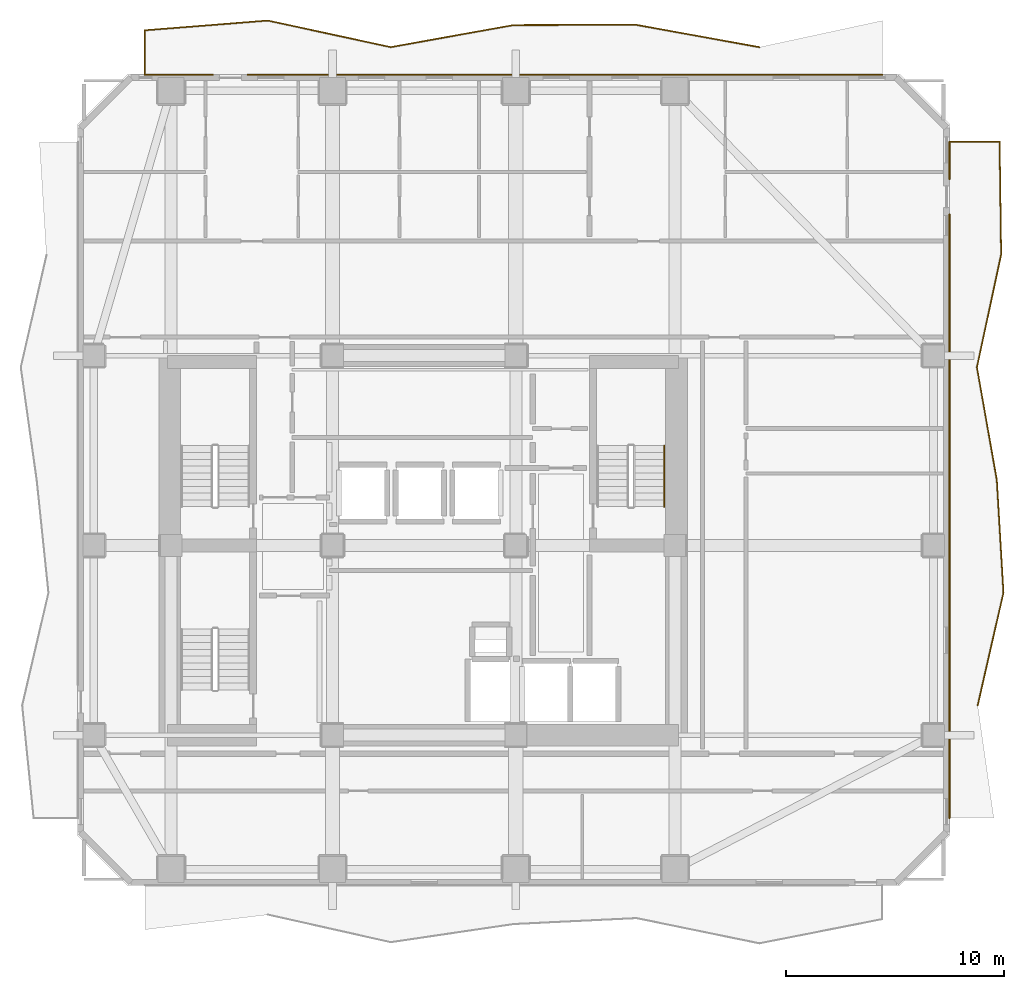
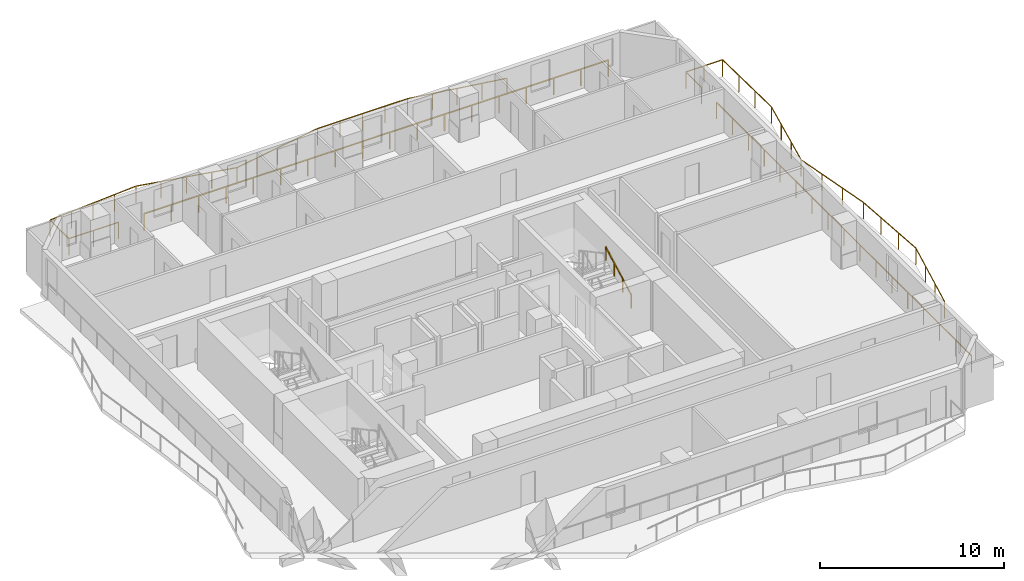
# One storey, part 9 of 9: 5 railings.
"""IFC4 building model written with IfcOpenShell, lengths in metres."""

from ifc_helpers import new_model, si_unit, direction, frame, origin, origin_2d, place, context, subcontext, project, spatial, rectangle, extrude, material, type_object, element, save


model = new_model("IFC4")

# Units and contexts
model_context = context("Model", 3, precision=1e-05, world=origin(), true_north=direction((0.0, 1.0)))
body_context = subcontext(model_context, "Body", "Model", "MODEL_VIEW")
ifc_project = project(units=[si_unit("LENGTHUNIT", "METRE"), si_unit("AREAUNIT", "SQUARE_METRE"), si_unit("VOLUMEUNIT", "CUBIC_METRE"), si_unit("PLANEANGLEUNIT", "RADIAN"), si_unit("MASSUNIT", "GRAM", prefix="KILO")], contexts=[model_context])

# Site, building, storey
site_placement = place(None, origin())
site = spatial("IfcSite", under=ifc_project, at=site_placement, CompositionType="ELEMENT")
building_placement = place(site_placement, origin())
building = spatial("IfcBuilding", under=site, at=building_placement, Name="Solanera Arch Residences", CompositionType="ELEMENT")
storey_placement = place(building_placement, frame((0.0, 0.0, 162.52001953125)))
storey = spatial("IfcBuildingStorey", under=building, at=storey_placement, Name="L47", CompositionType="ELEMENT", Elevation=162.52001953125)

# Railings
ifc_material_1 = material(Name="Steel S355 (ASTM A992 / A572 Grade 50)", Category="steel")
railing_type_1 = type_object("IfcRailingType", Name="Balustrade Railing BL-1100", PredefinedType="BALUSTRADE", material=ifc_material_1)
railing_1_placement = place(storey_placement, frame((40.366943359375, 53.5400390625, 0.0)))
element("IfcRailing", 1, at=railing_1_placement, inside=storey, type_object=railing_type_1, Name="L47 N Balcony Balustrade 1", PredefinedType="BALUSTRADE", context=body_context, shape_type="SweptSolid", body=[
    extrude(rectangle(XDim=0.048095703125, YDim=0.048095703125, at=origin_2d()), frame((0.0, 0.0, 1.09619140625), z_axis=(-0.983943504094, 0.178480197085, 0.0), x_axis=(-0.178480197085, -0.983943504094, 0.0)), (0.0, 0.0, 1.0), 5.72607421875),
    extrude(rectangle(XDim=0.048095703125, YDim=0.048095703125, at=origin_2d()), frame((-5.634033203125, 1.02197265625, 1.09619140625), z_axis=(-0.999998977115, -0.001430303669, 0.0), x_axis=(0.001430303669, -0.999998977115, 0.0)), (0.0, 0.0, 1.0), 5.6328125),
    extrude(rectangle(XDim=0.048095703125, YDim=0.048095703125, at=origin_2d()), frame((-11.266845703125, 1.013916015625, 1.09619140625), z_axis=(-0.984243807217, -0.17681665067, 0.0), x_axis=(0.17681665067, -0.984243807217, 0.0)), (0.0, 0.0, 1.0), 5.72314453125),
    extrude(rectangle(XDim=0.048095703125, YDim=0.048095703125, at=origin_2d()), frame((-16.89990234375, 0.001953125, 1.09619140625), z_axis=(-0.97738460027, 0.211469485165, 0.0), x_axis=(-0.211469485165, -0.97738460027, 0.0)), (0.0, 0.0, 1.0), 5.764404296875),
    extrude(rectangle(XDim=0.048095703125, YDim=0.048095703125, at=origin_2d()), frame((-22.533935546875, 1.220947265625, 1.09619140625), z_axis=(-0.996866041589, -0.079108123007, 0.0), x_axis=(0.079108123007, -0.996866041589, 0.0)), (0.0, 0.0, 1.0), 5.65087890625),
    extrude(rectangle(XDim=0.048095703125, YDim=0.048095703125, at=origin_2d()), frame((-28.1669921875, 0.77392578125, 1.09619140625), z_axis=(0.0, -1.0, 0.0), x_axis=(1.0, 0.0, 0.0)), (0.0, 0.0, 1.0), 2.033935546875),
    extrude(rectangle(XDim=0.048095703125, YDim=0.048095703125, at=origin_2d()), frame((-28.1669921875, -1.260009765625, 1.09619140625), z_axis=(1.0, 0.0, 0.0), x_axis=(0.0, 1.0, 0.0)), (0.0, 0.0, 1.0), 3.116943359375),
    extrude(rectangle(XDim=0.0419921875, YDim=0.0419921875, at=origin_2d()), origin(), (0.0, 0.0, 1.0), 1.072021484375),
    extrude(rectangle(XDim=0.0419921875, YDim=0.0419921875, at=origin_2d()), frame((-1.408447265625, 0.25537109375, 0.0)), (0.0, 0.0, 1.0), 1.072021484375),
    extrude(rectangle(XDim=0.0419921875, YDim=0.0419921875, at=origin_2d()), frame((-2.81689453125, 0.510986328125, 0.0)), (0.0, 0.0, 1.0), 1.072021484375),
    extrude(rectangle(XDim=0.0419921875, YDim=0.0419921875, at=origin_2d()), frame((-4.2255859375, 0.7666015625, 0.0)), (0.0, 0.0, 1.0), 1.072021484375),
    extrude(rectangle(XDim=0.0419921875, YDim=0.0419921875, at=origin_2d()), frame((-5.634033203125, 1.02197265625, 0.0)), (0.0, 0.0, 1.0), 1.072021484375),
    extrude(rectangle(XDim=0.0419921875, YDim=0.0419921875, at=origin_2d()), frame((-7.042236328125, 1.02001953125, 0.0)), (0.0, 0.0, 1.0), 1.072021484375),
    extrude(rectangle(XDim=0.0419921875, YDim=0.0419921875, at=origin_2d()), frame((-8.450439453125, 1.01806640625, 0.0)), (0.0, 0.0, 1.0), 1.072021484375),
    extrude(rectangle(XDim=0.0419921875, YDim=0.0419921875, at=origin_2d()), frame((-9.858642578125, 1.015869140625, 0.0)), (0.0, 0.0, 1.0), 1.072021484375),
    extrude(rectangle(XDim=0.0419921875, YDim=0.0419921875, at=origin_2d()), frame((-11.266845703125, 1.013916015625, 0.0)), (0.0, 0.0, 1.0), 1.072021484375),
    extrude(rectangle(XDim=0.0419921875, YDim=0.0419921875, at=origin_2d()), frame((-12.675048828125, 0.760986328125, 0.0)), (0.0, 0.0, 1.0), 1.072021484375),
    extrude(rectangle(XDim=0.0419921875, YDim=0.0419921875, at=origin_2d()), frame((-14.08349609375, 0.5078125, 0.0)), (0.0, 0.0, 1.0), 1.072021484375),
    extrude(rectangle(XDim=0.0419921875, YDim=0.0419921875, at=origin_2d()), frame((-15.49169921875, 0.2548828125, 0.0)), (0.0, 0.0, 1.0), 1.072021484375),
    extrude(rectangle(XDim=0.0419921875, YDim=0.0419921875, at=origin_2d()), frame((-16.89990234375, 0.001953125, 0.0)), (0.0, 0.0, 1.0), 1.072021484375),
    extrude(rectangle(XDim=0.0419921875, YDim=0.0419921875, at=origin_2d()), frame((-18.308349609375, 0.306640625, 0.0)), (0.0, 0.0, 1.0), 1.072021484375),
    extrude(rectangle(XDim=0.0419921875, YDim=0.0419921875, at=origin_2d()), frame((-19.716796875, 0.611328125, 0.0)), (0.0, 0.0, 1.0), 1.072021484375),
    extrude(rectangle(XDim=0.0419921875, YDim=0.0419921875, at=origin_2d()), frame((-21.12548828125, 0.916259765625, 0.0)), (0.0, 0.0, 1.0), 1.072021484375),
    extrude(rectangle(XDim=0.0419921875, YDim=0.0419921875, at=origin_2d()), frame((-22.533935546875, 1.220947265625, 0.0)), (0.0, 0.0, 1.0), 1.072021484375),
    extrude(rectangle(XDim=0.0419921875, YDim=0.0419921875, at=origin_2d()), frame((-23.942138671875, 1.109130859375, 0.0)), (0.0, 0.0, 1.0), 1.072021484375),
    extrude(rectangle(XDim=0.0419921875, YDim=0.0419921875, at=origin_2d()), frame((-25.3505859375, 0.99755859375, 0.0)), (0.0, 0.0, 1.0), 1.072021484375),
    extrude(rectangle(XDim=0.0419921875, YDim=0.0419921875, at=origin_2d()), frame((-26.7587890625, 0.8857421875, 0.0)), (0.0, 0.0, 1.0), 1.072021484375),
    extrude(rectangle(XDim=0.0419921875, YDim=0.0419921875, at=origin_2d()), frame((-28.1669921875, 0.77392578125, 0.0)), (0.0, 0.0, 1.0), 1.072021484375),
    extrude(rectangle(XDim=0.0419921875, YDim=0.0419921875, at=origin_2d()), frame((-28.1669921875, -0.2431640625, 0.0)), (0.0, 0.0, 1.0), 1.072021484375),
    extrude(rectangle(XDim=0.0419921875, YDim=0.0419921875, at=origin_2d()), frame((-28.1669921875, -1.260009765625, 0.0)), (0.0, 0.0, 1.0), 1.072021484375),
    extrude(rectangle(XDim=0.0419921875, YDim=0.0419921875, at=origin_2d()), frame((-26.6083984375, -1.260009765625, 0.0)), (0.0, 0.0, 1.0), 1.072021484375),
    extrude(rectangle(XDim=0.0419921875, YDim=0.0419921875, at=origin_2d()), frame((-25.050048828125, -1.260009765625, 0.0)), (0.0, 0.0, 1.0), 1.072021484375),
])
railing_2_placement = place(storey_placement, frame((16.9169921875, 52.280029296875, 0.0)))
element("IfcRailing", 2, at=railing_2_placement, inside=storey, type_object=railing_type_1, Name="L47 N Balcony Balustrade 2", PredefinedType="BALUSTRADE", context=body_context, shape_type="SweptSolid", body=[
    extrude(rectangle(XDim=0.048095703125, YDim=0.048095703125, at=origin_2d()), frame((0.0, 0.0, 1.09619140625), z_axis=(1.0, 0.0, 0.0), x_axis=(0.0, 1.0, 0.0)), (0.0, 0.0, 1.0), 29.0830078125),
    extrude(rectangle(XDim=0.0419921875, YDim=0.0419921875, at=origin_2d()), origin(), (0.0, 0.0, 1.0), 1.072021484375),
    extrude(rectangle(XDim=0.0419921875, YDim=0.0419921875, at=origin_2d()), frame((1.710693359375, 0.0, 0.0)), (0.0, 0.0, 1.0), 1.072021484375),
    extrude(rectangle(XDim=0.0419921875, YDim=0.0419921875, at=origin_2d()), frame((3.421630859375, 0.0, 0.0)), (0.0, 0.0, 1.0), 1.072021484375),
    extrude(rectangle(XDim=0.0419921875, YDim=0.0419921875, at=origin_2d()), frame((5.13232421875, 0.0, 0.0)), (0.0, 0.0, 1.0), 1.072021484375),
    extrude(rectangle(XDim=0.0419921875, YDim=0.0419921875, at=origin_2d()), frame((6.843017578125, 0.0, 0.0)), (0.0, 0.0, 1.0), 1.072021484375),
    extrude(rectangle(XDim=0.0419921875, YDim=0.0419921875, at=origin_2d()), frame((8.5537109375, 0.0, 0.0)), (0.0, 0.0, 1.0), 1.072021484375),
    extrude(rectangle(XDim=0.0419921875, YDim=0.0419921875, at=origin_2d()), frame((10.2646484375, 0.0, 0.0)), (0.0, 0.0, 1.0), 1.072021484375),
    extrude(rectangle(XDim=0.0419921875, YDim=0.0419921875, at=origin_2d()), frame((11.975341796875, 0.0, 0.0)), (0.0, 0.0, 1.0), 1.072021484375),
    extrude(rectangle(XDim=0.0419921875, YDim=0.0419921875, at=origin_2d()), frame((13.68603515625, 0.0, 0.0)), (0.0, 0.0, 1.0), 1.072021484375),
    extrude(rectangle(XDim=0.0419921875, YDim=0.0419921875, at=origin_2d()), frame((15.39697265625, 0.0, 0.0)), (0.0, 0.0, 1.0), 1.072021484375),
    extrude(rectangle(XDim=0.0419921875, YDim=0.0419921875, at=origin_2d()), frame((17.107666015625, 0.0, 0.0)), (0.0, 0.0, 1.0), 1.072021484375),
    extrude(rectangle(XDim=0.0419921875, YDim=0.0419921875, at=origin_2d()), frame((18.818359375, 0.0, 0.0)), (0.0, 0.0, 1.0), 1.072021484375),
    extrude(rectangle(XDim=0.0419921875, YDim=0.0419921875, at=origin_2d()), frame((20.529296875, 0.0, 0.0)), (0.0, 0.0, 1.0), 1.072021484375),
    extrude(rectangle(XDim=0.0419921875, YDim=0.0419921875, at=origin_2d()), frame((22.239990234375, 0.0, 0.0)), (0.0, 0.0, 1.0), 1.072021484375),
    extrude(rectangle(XDim=0.0419921875, YDim=0.0419921875, at=origin_2d()), frame((23.95068359375, 0.0, 0.0)), (0.0, 0.0, 1.0), 1.072021484375),
    extrude(rectangle(XDim=0.0419921875, YDim=0.0419921875, at=origin_2d()), frame((25.661376953125, 0.0, 0.0)), (0.0, 0.0, 1.0), 1.072021484375),
    extrude(rectangle(XDim=0.0419921875, YDim=0.0419921875, at=origin_2d()), frame((27.372314453125, 0.0, 0.0)), (0.0, 0.0, 1.0), 1.072021484375),
    extrude(rectangle(XDim=0.0419921875, YDim=0.0419921875, at=origin_2d()), frame((29.0830078125, 0.0, 0.0)), (0.0, 0.0, 1.0), 1.072021484375),
])
railing_3_placement = place(storey_placement, frame((50.3740234375, 23.366943359375, 0.0)))
element("IfcRailing", 3, at=railing_3_placement, inside=storey, type_object=railing_type_1, Name="L47 E Balcony Balustrade 1", PredefinedType="BALUSTRADE", context=body_context, shape_type="SweptSolid", body=[
    extrude(rectangle(XDim=0.048095703125, YDim=0.048095703125, at=origin_2d()), frame((0.0, 0.0, 1.09619140625), z_axis=(0.222843565676, 0.974854217428, 0.0), x_axis=(-0.974854217428, 0.222843565676, 0.0)), (0.0, 0.0, 1.0), 5.29931640625),
    extrude(rectangle(XDim=0.048095703125, YDim=0.048095703125, at=origin_2d()), frame((1.180908203125, 5.166015625, 1.09619140625), z_axis=(-0.058724787001, 0.998274210521, 0.0), x_axis=(-0.998274210521, -0.058724787001, 0.0)), (0.0, 0.0, 1.0), 5.176025390625),
    extrude(rectangle(XDim=0.048095703125, YDim=0.048095703125, at=origin_2d()), frame((0.876953125, 10.3330078125, 1.09619140625), z_axis=(-0.173793297263, 0.984782153487, 0.0), x_axis=(-0.984782153487, -0.173793297263, 0.0)), (0.0, 0.0, 1.0), 5.246826171875),
    extrude(rectangle(XDim=0.048095703125, YDim=0.048095703125, at=origin_2d()), frame((-0.034912109375, 15.5, 1.09619140625), z_axis=(0.210223206367, 0.977653416863, 0.0), x_axis=(-0.977653416863, 0.210223206367, 0.0)), (0.0, 0.0, 1.0), 5.2841796875),
    extrude(rectangle(XDim=0.048095703125, YDim=0.048095703125, at=origin_2d()), frame((1.075927734375, 20.666015625, 1.09619140625), z_axis=(-0.013748464196, 0.9999054854, 0.0), x_axis=(-0.9999054854, -0.013748464196, 0.0)), (0.0, 0.0, 1.0), 5.16748046875),
    extrude(rectangle(XDim=0.048095703125, YDim=0.048095703125, at=origin_2d()), frame((1.0048828125, 25.8330078125, 1.09619140625), z_axis=(-1.0, 0.0, 0.0), x_axis=(0.0, -1.0, 0.0)), (0.0, 0.0, 1.0), 2.298828125),
    extrude(rectangle(XDim=0.048095703125, YDim=0.048095703125, at=origin_2d()), frame((-1.2939453125, 25.8330078125, 1.09619140625), z_axis=(0.0, -1.0, 0.0), x_axis=(1.0, 0.0, 0.0)), (0.0, 0.0, 1.0), 1.7138671875),
    extrude(rectangle(XDim=0.0419921875, YDim=0.0419921875, at=origin_2d()), origin(), (0.0, 0.0, 1.0), 1.072021484375),
    extrude(rectangle(XDim=0.0419921875, YDim=0.0419921875, at=origin_2d()), frame((0.3935546875, 1.721923828125, 0.0)), (0.0, 0.0, 1.0), 1.072021484375),
    extrude(rectangle(XDim=0.0419921875, YDim=0.0419921875, at=origin_2d()), frame((0.787353515625, 3.444091796875, 0.0)), (0.0, 0.0, 1.0), 1.072021484375),
    extrude(rectangle(XDim=0.0419921875, YDim=0.0419921875, at=origin_2d()), frame((1.180908203125, 5.166015625, 0.0)), (0.0, 0.0, 1.0), 1.072021484375),
    extrude(rectangle(XDim=0.0419921875, YDim=0.0419921875, at=origin_2d()), frame((1.07958984375, 6.888427734375, 0.0)), (0.0, 0.0, 1.0), 1.072021484375),
    extrude(rectangle(XDim=0.0419921875, YDim=0.0419921875, at=origin_2d()), frame((0.978271484375, 8.610595703125, 0.0)), (0.0, 0.0, 1.0), 1.072021484375),
    extrude(rectangle(XDim=0.0419921875, YDim=0.0419921875, at=origin_2d()), frame((0.876953125, 10.3330078125, 0.0)), (0.0, 0.0, 1.0), 1.072021484375),
    extrude(rectangle(XDim=0.0419921875, YDim=0.0419921875, at=origin_2d()), frame((0.572998046875, 12.055419921875, 0.0)), (0.0, 0.0, 1.0), 1.072021484375),
    extrude(rectangle(XDim=0.0419921875, YDim=0.0419921875, at=origin_2d()), frame((0.26904296875, 13.777587890625, 0.0)), (0.0, 0.0, 1.0), 1.072021484375),
    extrude(rectangle(XDim=0.0419921875, YDim=0.0419921875, at=origin_2d()), frame((-0.034912109375, 15.5, 0.0)), (0.0, 0.0, 1.0), 1.072021484375),
    extrude(rectangle(XDim=0.0419921875, YDim=0.0419921875, at=origin_2d()), frame((0.33544921875, 17.221923828125, 0.0)), (0.0, 0.0, 1.0), 1.072021484375),
    extrude(rectangle(XDim=0.0419921875, YDim=0.0419921875, at=origin_2d()), frame((0.70556640625, 18.944091796875, 0.0)), (0.0, 0.0, 1.0), 1.072021484375),
    extrude(rectangle(XDim=0.0419921875, YDim=0.0419921875, at=origin_2d()), frame((1.075927734375, 20.666015625, 0.0)), (0.0, 0.0, 1.0), 1.072021484375),
    extrude(rectangle(XDim=0.0419921875, YDim=0.0419921875, at=origin_2d()), frame((1.05224609375, 22.388427734375, 0.0)), (0.0, 0.0, 1.0), 1.072021484375),
    extrude(rectangle(XDim=0.0419921875, YDim=0.0419921875, at=origin_2d()), frame((1.028564453125, 24.110595703125, 0.0)), (0.0, 0.0, 1.0), 1.072021484375),
    extrude(rectangle(XDim=0.0419921875, YDim=0.0419921875, at=origin_2d()), frame((1.0048828125, 25.8330078125, 0.0)), (0.0, 0.0, 1.0), 1.072021484375),
    extrude(rectangle(XDim=0.0419921875, YDim=0.0419921875, at=origin_2d()), frame((-0.14453125, 25.8330078125, 0.0)), (0.0, 0.0, 1.0), 1.072021484375),
    extrude(rectangle(XDim=0.0419921875, YDim=0.0419921875, at=origin_2d()), frame((-1.2939453125, 25.8330078125, 0.0)), (0.0, 0.0, 1.0), 1.072021484375),
    extrude(rectangle(XDim=0.0419921875, YDim=0.0419921875, at=origin_2d()), frame((-1.2939453125, 24.119140625, 0.0)), (0.0, 0.0, 1.0), 1.072021484375),
])
railing_4_placement = place(storey_placement, frame((49.080078125, 45.885986328125, 0.0)))
element("IfcRailing", 4, at=railing_4_placement, inside=storey, type_object=railing_type_1, Name="L47 E Balcony Balustrade 2", PredefinedType="BALUSTRADE", context=body_context, shape_type="SweptSolid", body=[
    extrude(rectangle(XDim=0.048095703125, YDim=0.048095703125, at=origin_2d()), frame((0.0, 0.0, 1.09619140625), z_axis=(0.0, -1.0, 0.0), x_axis=(1.0, 0.0, 0.0)), (0.0, 0.0, 1.0), 27.68603515625),
    extrude(rectangle(XDim=0.0419921875, YDim=0.0419921875, at=origin_2d()), origin(), (0.0, 0.0, 1.0), 1.072021484375),
    extrude(rectangle(XDim=0.0419921875, YDim=0.0419921875, at=origin_2d()), frame((0.0, -1.73046875, 0.0)), (0.0, 0.0, 1.0), 1.072021484375),
    extrude(rectangle(XDim=0.0419921875, YDim=0.0419921875, at=origin_2d()), frame((0.0, -3.460693359375, 0.0)), (0.0, 0.0, 1.0), 1.072021484375),
    extrude(rectangle(XDim=0.0419921875, YDim=0.0419921875, at=origin_2d()), frame((0.0, -5.191162109375, 0.0)), (0.0, 0.0, 1.0), 1.072021484375),
    extrude(rectangle(XDim=0.0419921875, YDim=0.0419921875, at=origin_2d()), frame((0.0, -6.92138671875, 0.0)), (0.0, 0.0, 1.0), 1.072021484375),
    extrude(rectangle(XDim=0.0419921875, YDim=0.0419921875, at=origin_2d()), frame((0.0, -8.65185546875, 0.0)), (0.0, 0.0, 1.0), 1.072021484375),
    extrude(rectangle(XDim=0.0419921875, YDim=0.0419921875, at=origin_2d()), frame((0.0, -10.38232421875, 0.0)), (0.0, 0.0, 1.0), 1.072021484375),
    extrude(rectangle(XDim=0.0419921875, YDim=0.0419921875, at=origin_2d()), frame((0.0, -12.112548828125, 0.0)), (0.0, 0.0, 1.0), 1.072021484375),
    extrude(rectangle(XDim=0.0419921875, YDim=0.0419921875, at=origin_2d()), frame((0.0, -13.843017578125, 0.0)), (0.0, 0.0, 1.0), 1.072021484375),
    extrude(rectangle(XDim=0.0419921875, YDim=0.0419921875, at=origin_2d()), frame((0.0, -15.573486328125, 0.0)), (0.0, 0.0, 1.0), 1.072021484375),
    extrude(rectangle(XDim=0.0419921875, YDim=0.0419921875, at=origin_2d()), frame((0.0, -17.3037109375, 0.0)), (0.0, 0.0, 1.0), 1.072021484375),
    extrude(rectangle(XDim=0.0419921875, YDim=0.0419921875, at=origin_2d()), frame((0.0, -19.0341796875, 0.0)), (0.0, 0.0, 1.0), 1.072021484375),
    extrude(rectangle(XDim=0.0419921875, YDim=0.0419921875, at=origin_2d()), frame((0.0, -20.7646484375, 0.0)), (0.0, 0.0, 1.0), 1.072021484375),
    extrude(rectangle(XDim=0.0419921875, YDim=0.0419921875, at=origin_2d()), frame((0.0, -22.494873046875, 0.0)), (0.0, 0.0, 1.0), 1.072021484375),
    extrude(rectangle(XDim=0.0419921875, YDim=0.0419921875, at=origin_2d()), frame((0.0, -24.225341796875, 0.0)), (0.0, 0.0, 1.0), 1.072021484375),
    extrude(rectangle(XDim=0.0419921875, YDim=0.0419921875, at=origin_2d()), frame((0.0, -25.95556640625, 0.0)), (0.0, 0.0, 1.0), 1.072021484375),
    extrude(rectangle(XDim=0.0419921875, YDim=0.0419921875, at=origin_2d()), frame((0.0, -27.68603515625, 0.0)), (0.0, 0.0, 1.0), 1.072021484375),
])
ifc_material_2 = material(Name="Steel S355 (ASTM A992 / A572 Grade 50)", Category="steel")
railing_type_2 = type_object("IfcRailingType", Name="Stair Wall Handrail HR-920", PredefinedType="HANDRAIL", material=ifc_material_2)
railing_5_placement = place(storey_placement, frame((36.010009765625, 32.47998046875, 0.166015625)))
element("IfcRailing", 5, at=railing_5_placement, inside=storey, type_object=railing_type_2, Name="L47 ST-T2 stair handrail 1", PredefinedType="HANDRAIL", context=body_context, shape_type="SweptSolid", body=[
    extrude(rectangle(XDim=0.048095703125, YDim=0.048095703125, at=origin_2d()), frame((0.0, 0.0, 0.8759765625), z_axis=(0.0, 0.881580869306, 0.472033018838), x_axis=(-1.0, 0.0, 0.0)), (0.0, 0.0, 1.0), 3.164794921875),
    extrude(rectangle(XDim=0.0419921875, YDim=0.0419921875, at=origin_2d()), origin(), (0.0, 0.0, 1.0), 0.851806640625),
    extrude(rectangle(XDim=0.0419921875, YDim=0.0419921875, at=origin_2d()), frame((0.0, 0.929931640625, 0.498046875)), (0.0, 0.0, 1.0), 0.851806640625),
    extrude(rectangle(XDim=0.0419921875, YDim=0.0419921875, at=origin_2d()), frame((0.0, 1.860107421875, 0.995849609375)), (0.0, 0.0, 1.0), 0.851806640625),
    extrude(rectangle(XDim=0.0419921875, YDim=0.0419921875, at=origin_2d()), frame((0.0, 2.7900390625, 1.493896484375)), (0.0, 0.0, 1.0), 0.851806640625),
])

save(model, "model.ifc")
